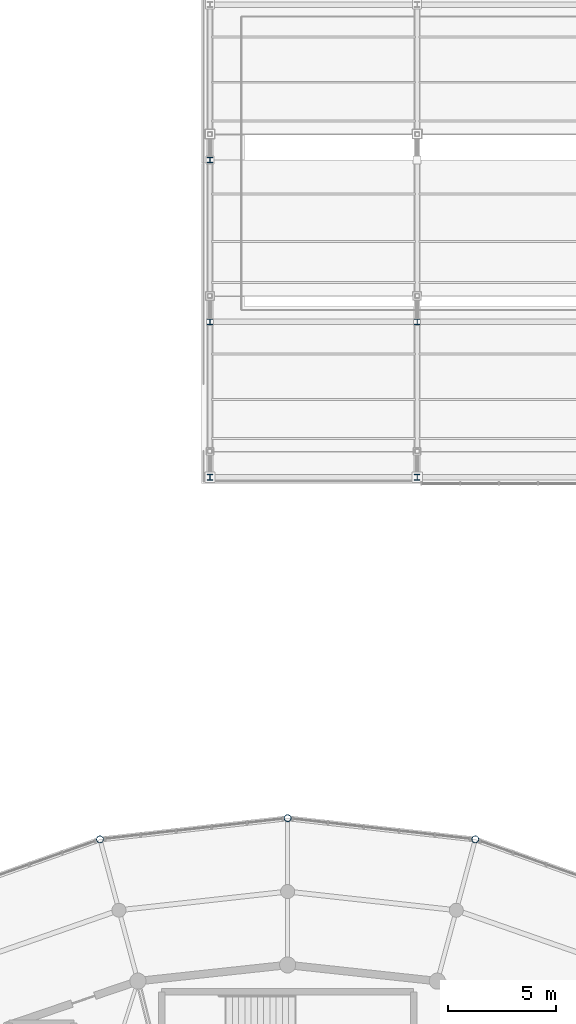
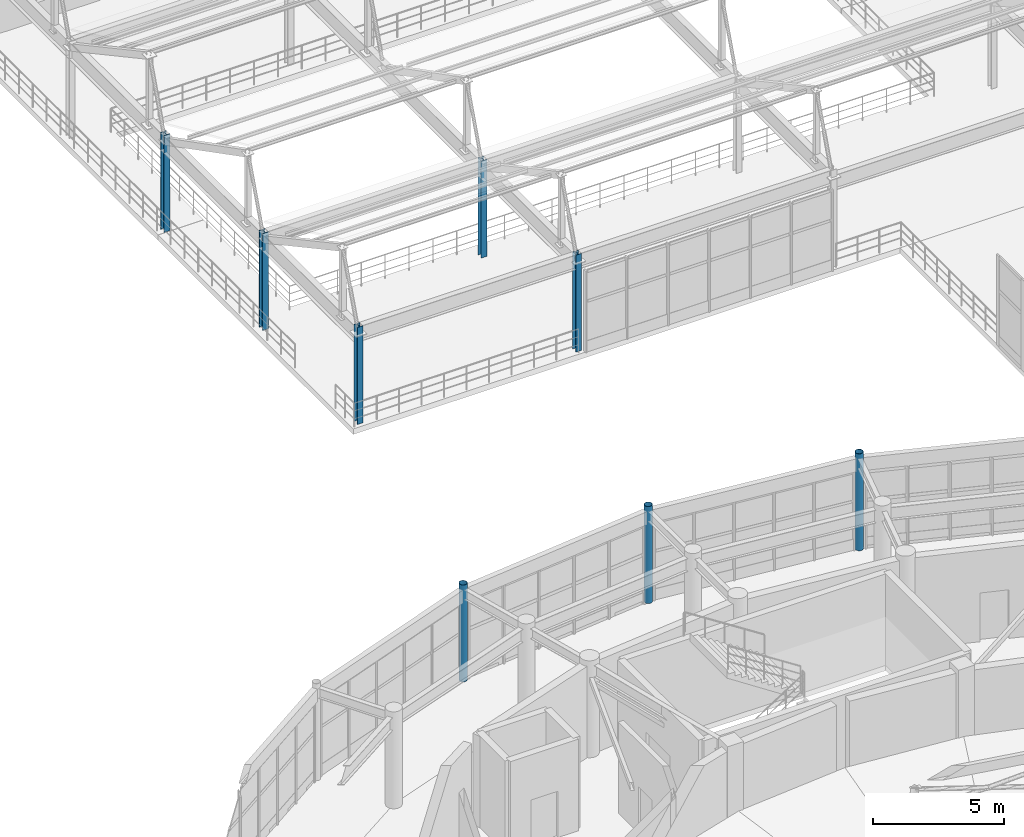
# One storey, part 15 of 112: 8 columns.
"""IFC4 building model written with IfcOpenShell, lengths in metres."""

from ifc_helpers import new_model, si_unit, direction, frame, origin, origin_2d, place, context, subcontext, project, spatial, hollow_circle, i_section, extrude, material, material_profile, profile_set, type_object, element, save


model = new_model("IFC4")

# Units and contexts
model_context = context("Model", 3, precision=1e-05, world=origin(), true_north=direction((0.0, 1.0)))
body_context = subcontext(model_context, "Body", "Model", "MODEL_VIEW")
ifc_project = project(units=[si_unit("LENGTHUNIT", "METRE"), si_unit("AREAUNIT", "SQUARE_METRE"), si_unit("VOLUMEUNIT", "CUBIC_METRE"), si_unit("PLANEANGLEUNIT", "RADIAN"), si_unit("MASSUNIT", "GRAM", prefix="KILO")], contexts=[model_context])

# Site, building, storey
site_placement = place(None, origin())
site = spatial("IfcSite", under=ifc_project, at=site_placement, CompositionType="ELEMENT")
building_placement = place(site_placement, origin())
building = spatial("IfcBuilding", under=site, at=building_placement, Name="Cinderbank Siding Concert Hall", CompositionType="ELEMENT")
storey_placement = place(building_placement, frame((0.0, 0.0, 10.199951171875)))
storey = spatial("IfcBuildingStorey", under=building, at=storey_placement, Name="L03", CompositionType="ELEMENT", Elevation=10.199951171875)

# Columns
ifc_material_1 = material(Name="Structural steel hollow section AS/NZS 1163 Grade C350L0 (350 MPa)", Category="steel")
ifc_material_profile_1 = material_profile(ifc_material_1, hollow_circle(Radius=0.161865234375, WallThickness=0.0126953125, at=origin_2d()), Name="323.9x12.7CHS", Category="LoadBearing")
ifc_profile_set_1 = profile_set([ifc_material_profile_1], Name="Structural steel hollow section AS/NZS 1163 Grade C350L0 (350 MPa)")
column_type_1 = type_object("IfcColumnType", Name="C-CHS323 323.9x12.7CHS", PredefinedType="COLUMN", material=ifc_profile_set_1)
for number, where, z_axis, x_axis, name in (
    (1, (130.696044921875, 71.819091796875, 0.0), (0.0, 0.0, 1.0), (1.0, 0.0, 0.0), "L03 Column COL-E4-06"),
    (2, (122.0, 72.800048828125, 0.0), (0.0, 0.0, 1.0), (1.0, 0.0, 0.0), "L03 Column COL-E4-07"),
    (3, (113.303955078125, 71.819091796875, 0.0), (0.0, 0.0, 1.0), (1.0, 0.0, 0.0), "L03 Column COL-E4-08"),
):
    element("IfcColumn", number, at=place(storey_placement, frame(where, z_axis=z_axis, x_axis=x_axis)), inside=storey, type_object=column_type_1, Name=name, PredefinedType="COLUMN", context=body_context, shape_type="SweptSolid", body=[
        extrude(hollow_circle(Radius=0.161865234375, WallThickness=0.0126953125, at=origin_2d()), origin(), (0.0, 0.0, 1.0), 4.5),
    ])
ifc_material_2 = material(Name="Structural steel AS/NZS 3679.1 Grade 350 (340 MPa)", Category="steel")
ifc_material_profile_2 = material_profile(ifc_material_2, i_section(OverallWidth=0.256103515625, OverallDepth=0.260009765625, WebThickness=0.010498046875, FlangeThickness=0.017333984375, at=origin_2d()), Name="250UC89.5", Category="LoadBearing")
ifc_profile_set_2 = profile_set([ifc_material_profile_2], Name="Structural steel AS/NZS 3679.1 Grade 350 (340 MPa)")
column_type_2 = type_object("IfcColumnType", Name="C-UC250H 250UC89.5", PredefinedType="COLUMN", material=ifc_profile_set_2)
for number, where, z_axis, x_axis, name in (
    (4, (118.39990234375, 88.60009765625, 0.0), (0.0, 0.0, 1.0), (1.0, 0.0, 0.0), "L03 Column COL-V3-1-1"),
    (5, (118.39990234375, 95.800048828125, 0.0), (0.0, 0.0, 1.0), (1.0, 0.0, 0.0), "L03 Column COL-V3-1-2"),
    (6, (118.39990234375, 103.300048828125, 0.0), (0.0, 0.0, 1.0), (1.0, 0.0, 0.0), "L03 Column COL-V3-1-3"),
    (7, (128.0, 88.60009765625, 0.0), (0.0, 0.0, 1.0), (1.0, 0.0, 0.0), "L03 Column COL-V3-2-1"),
    (8, (128.0, 95.800048828125, 0.0), (0.0, 0.0, 1.0), (1.0, 0.0, 0.0), "L03 Column COL-V3-2-2"),
):
    element("IfcColumn", number, at=place(storey_placement, frame(where, z_axis=z_axis, x_axis=x_axis)), inside=storey, type_object=column_type_2, Name=name, PredefinedType="COLUMN", context=body_context, shape_type="SweptSolid", body=[
        extrude(i_section(OverallWidth=0.256103515625, OverallDepth=0.260009765625, WebThickness=0.010498046875, FlangeThickness=0.017333984375, at=origin_2d()), origin(), (0.0, 0.0, 1.0), 4.5),
    ])

save(model, "model.ifc")
